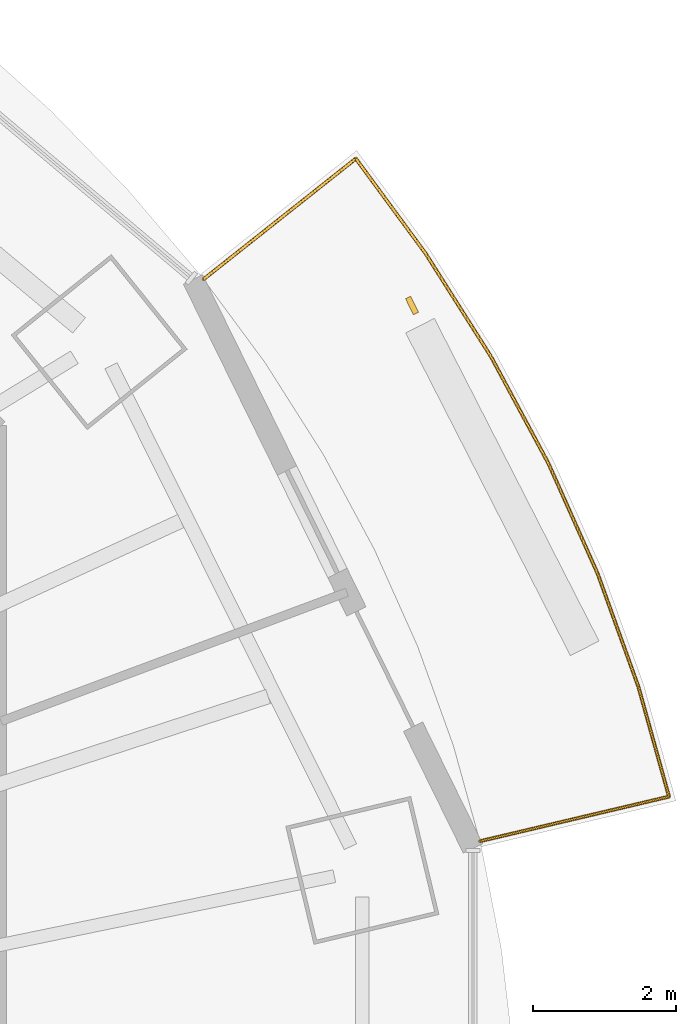
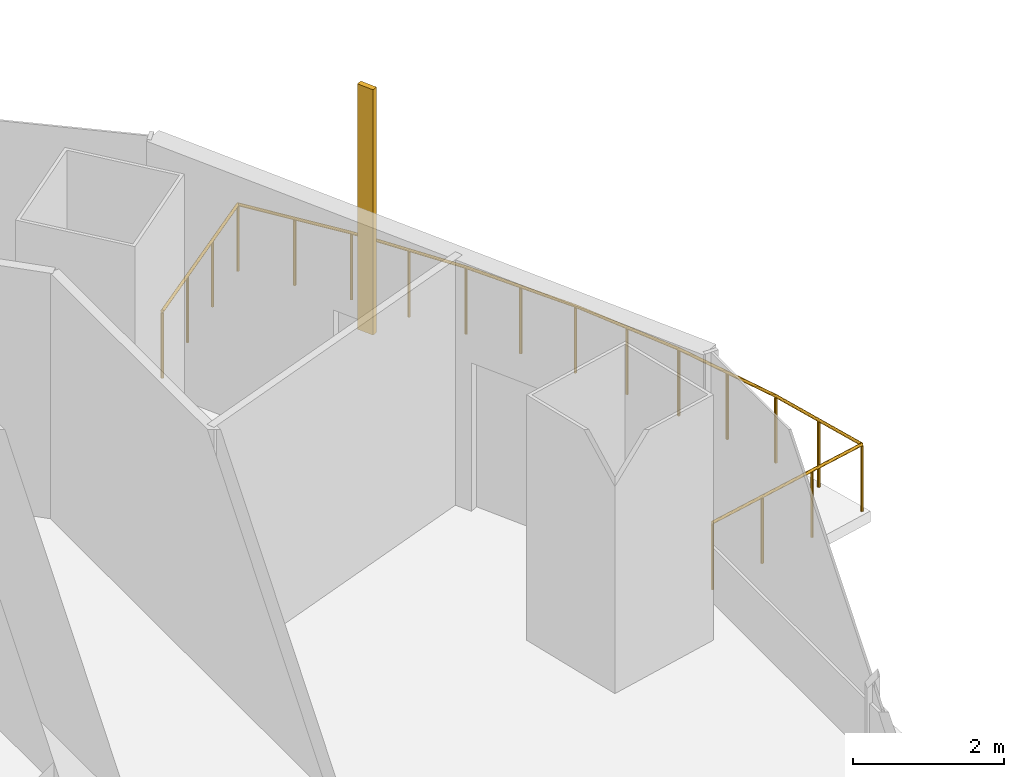
# One storey, part 15 of 16: 1 railing, 1 shading device.
"""IFC4 building model written with IfcOpenShell, lengths in metres."""

import ifcopenshell
import ifcopenshell.guid

model = None  # the IFC model being written
_history = None  # IfcOwnerHistory: only IFC2X3 demands one
_inside = {}  # id of a spatial element -> (the spatial element, [elements in it])
_under = {}  # id of a project, library or spatial element -> (it, [spatial elements below it])
_declared = {}  # id of a project -> (the project, [libraries it declares])
_typed = {}  # id of a type object -> (the type object, [elements of that type])
_made_of = {}  # id of a material, layer set ... -> (it, [elements and type objects made of it])


def new_model(schema):
    """Start an empty IFC model of exactly this schema.

    Asked for "IFC4X3", IfcOpenShell would pick the latest addendum, in which some entities
    have other attributes; the version numbers below select the first issue.
    IFC2X3 requires an IfcOwnerHistory on every rooted entity: one is made here for all.
    """
    global model, _history
    if schema == "IFC4X3":
        model = ifcopenshell.file(schema_version=(4, 3, 0, 0))
    else:
        model = ifcopenshell.file(schema=schema)
    _inside.clear()
    _under.clear()
    _declared.clear()
    _typed.clear()
    _made_of.clear()
    _history = None
    if model.schema == "IFC2X3":
        org = make("IfcOrganization", Name="unknown")
        user = make(
            "IfcPersonAndOrganization",
            ThePerson=make("IfcPerson", FamilyName="unknown"),
            TheOrganization=org,
        )
        app = make(
            "IfcApplication",
            ApplicationDeveloper=org,
            Version="unknown",
            ApplicationFullName="unknown",
            ApplicationIdentifier="unknown",
        )
        _history = make(
            "IfcOwnerHistory",
            OwningUser=user,
            OwningApplication=app,
            ChangeAction="ADDED",
            CreationDate=0,
        )
    return model


def make(cls, **values):
    """One entity of the class cls with the attributes given. An attribute that is None is left unset."""
    return model.create_entity(
        cls, **{name: value for name, value in values.items() if value is not None}
    )


def rooted(cls, **values):
    """An entity with a GlobalId (a new one), such as an element, a storey or a relation."""
    return make(cls, GlobalId=ifcopenshell.guid.new(), OwnerHistory=_history, **values)


def si_unit(unit_type, name, prefix=None):
    """IfcSIUnit, for example si_unit("LENGTHUNIT", "METRE", prefix="MILLI")."""
    return make("IfcSIUnit", UnitType=unit_type, Prefix=prefix, Name=name)


def assignment(units):
    """IfcUnitAssignment: the units of a project."""
    return None if units is None else make("IfcUnitAssignment", Units=units)


def point(xyz):
    """IfcCartesianPoint."""
    return None if xyz is None else make("IfcCartesianPoint", Coordinates=xyz)


def direction(xyz):
    """IfcDirection."""
    return None if xyz is None else make("IfcDirection", DirectionRatios=xyz)


def frame(location, z_axis=None, x_axis=None):
    """IfcAxis2Placement3D, a coordinate frame: its origin and axes. An axis left out is left unset."""
    return make(
        "IfcAxis2Placement3D",
        Location=point(location),
        Axis=direction(z_axis),
        RefDirection=direction(x_axis),
    )


def frame_2d(location, x_axis=None):
    """IfcAxis2Placement2D, a coordinate frame in the plane: its origin and x axis."""
    return make(
        "IfcAxis2Placement2D", Location=point(location), RefDirection=direction(x_axis)
    )


def origin():
    """The frame at (0, 0, 0) with its axes left unset."""
    return frame((0.0, 0.0, 0.0))


def origin_2d():
    """The frame at (0, 0) in the plane with its x axis left unset."""
    return frame_2d((0.0, 0.0))


def place(relative_to, where):
    """IfcLocalPlacement: puts the frame where relative to a parent placement (None: the world)."""
    return make(
        "IfcLocalPlacement", PlacementRelTo=relative_to, RelativePlacement=where
    )


def context(
    kind, dimensions, precision=None, world=None, true_north=None, identifier=None
):
    """IfcGeometricRepresentationContext, for example the 3D "Model" context."""
    return make(
        "IfcGeometricRepresentationContext",
        ContextIdentifier=identifier,
        ContextType=kind,
        CoordinateSpaceDimension=dimensions,
        Precision=precision,
        WorldCoordinateSystem=world,
        TrueNorth=true_north,
    )


def subcontext(parent, identifier, kind, view, scale=None):
    """IfcGeometricRepresentationSubContext, for example "Body" below "Model"."""
    return make(
        "IfcGeometricRepresentationSubContext",
        ContextIdentifier=identifier,
        ContextType=kind,
        ParentContext=parent,
        TargetScale=scale,
        TargetView=view,
    )


def project(units=None, contexts=None):
    """IfcProject with its units and contexts."""
    return rooted(
        "IfcProject",
        Name="project",
        RepresentationContexts=contexts,
        UnitsInContext=assignment(units),
    )


def spatial(cls, under=None, at=None, **own):
    """A site, building, storey or space (cls), placed at a placement, below another one or the project."""
    s = rooted(cls, ObjectPlacement=at, **own)
    if under is not None:
        _under.setdefault(under.id(), (under, []))[1].append(s)
    return s


def profile(cls, at=None, kind="AREA", **sizes):
    """A parametric profile (cls). Its sizes go by their IFC names, for example OverallWidth=200.0."""
    return make(cls, ProfileType=kind, Position=at, **sizes)


def rectangle(**sizes):
    """IfcRectangleProfileDef."""
    return profile("IfcRectangleProfileDef", **sizes)


def circle(**sizes):
    """IfcCircleProfileDef."""
    return profile("IfcCircleProfileDef", **sizes)


def extrude(swept, where, along, depth):
    """IfcExtrudedAreaSolid: the profile swept, set in the frame where, extruded along a direction by depth."""
    return make(
        "IfcExtrudedAreaSolid",
        SweptArea=swept,
        Position=where,
        ExtrudedDirection=direction(along),
        Depth=depth,
    )


def shape(context_of_items, identifier, shape_type, items):
    """IfcShapeRepresentation: the items that make up one representation, for example the "Body"."""
    return make(
        "IfcShapeRepresentation",
        ContextOfItems=context_of_items,
        RepresentationIdentifier=identifier,
        RepresentationType=shape_type,
        Items=items,
    )


def material(Name=None, Category=None):
    """IfcMaterial."""
    return make("IfcMaterial", Name=Name, Category=Category)


def material_profile(
    of_material, cross_section, Name=None, Category=None, Priority=None
):
    """IfcMaterialProfile: a cross section and its material."""
    return make(
        "IfcMaterialProfile",
        Name=Name,
        Material=of_material,
        Profile=cross_section,
        Priority=Priority,
        Category=Category,
    )


def profile_set(profiles, Name=None, composite=None):
    """IfcMaterialProfileSet."""
    return make(
        "IfcMaterialProfileSet",
        Name=Name,
        MaterialProfiles=profiles,
        CompositeProfile=composite,
    )


def made_of(thing, what):
    """Note that an element or type object is made of a material, layer set ...; save() writes the relation."""
    if what is not None:
        _made_of.setdefault(what.id(), (what, []))[1].append(thing)
    return thing


def type_object(cls, material=None, **own):
    """A type object (cls), such as IfcWallType, which elements share."""
    return made_of(rooted(cls, **own), material)


def element(
    cls,
    number,
    at=None,
    inside=None,
    cuts=None,
    type_object=None,
    material=None,
    context=None,
    identifier="Body",
    shape_type=None,
    held_by="IfcProductDefinitionShape",
    body=None,
    shapes=None,
    **own,
):
    """One element of the class cls, such as IfcWall. Its Tag is "e" and its number.

    at: its placement. inside: the storey or other place that contains it. cuts: it is an
    opening in that element (IfcRelVoidsElement). A single representation is given by context,
    identifier, shape_type and body (its items); several are given by shapes. held_by: the class
    of the entity that holds the representations. save() writes the other relations.
    """
    e = rooted(cls, Tag="e%d" % number, ObjectPlacement=at, **own)
    if body is not None:
        shapes = [shape(context, identifier, shape_type, body)]
    if shapes is not None:
        e.Representation = make(held_by, Representations=shapes)
    if inside is not None:
        _inside.setdefault(inside.id(), (inside, []))[1].append(e)
    if cuts is not None:
        rooted(
            "IfcRelVoidsElement", RelatingBuildingElement=cuts, RelatedOpeningElement=e
        )
    if type_object is not None:
        _typed.setdefault(type_object.id(), (type_object, []))[1].append(e)
    return made_of(e, material)


def aggregate(whole, parts):
    """IfcRelAggregates: a whole, such as a stair, and the parts it consists of."""
    return rooted("IfcRelAggregates", RelatingObject=whole, RelatedObjects=parts)


def save(model, path):
    """Write the relations noted so far, then the file.

    IfcRelAggregates (storeys below a building ...), IfcRelContainedInSpatialStructure (elements
    in a storey), IfcRelDefinesByType, IfcRelAssociatesMaterial and IfcRelDeclares: one each for
    every whole, place, type object, material and project.
    """
    for whole, parts in _under.values():
        aggregate(whole, parts)
    for where, things in _inside.values():
        rooted(
            "IfcRelContainedInSpatialStructure",
            RelatedElements=things,
            RelatingStructure=where,
        )
    for kind, things in _typed.values():
        rooted("IfcRelDefinesByType", RelatedObjects=things, RelatingType=kind)
    for what, things in _made_of.values():
        rooted("IfcRelAssociatesMaterial", RelatedObjects=things, RelatingMaterial=what)
    for by, libraries in _declared.values():
        rooted("IfcRelDeclares", RelatingContext=by, RelatedDefinitions=libraries)
    model.write(path)


model = new_model("IFC4")

# Units and contexts
model_context = context("Model", 3, precision=1e-05, world=origin(), true_north=direction((0.0, 1.0)))
body_context = subcontext(model_context, "Body", "Model", "MODEL_VIEW")
ifc_project = project(units=[si_unit("LENGTHUNIT", "METRE"), si_unit("AREAUNIT", "SQUARE_METRE"), si_unit("VOLUMEUNIT", "CUBIC_METRE"), si_unit("PLANEANGLEUNIT", "RADIAN"), si_unit("MASSUNIT", "GRAM", prefix="KILO")], contexts=[model_context])

# Site, building, storey
site_placement = place(None, origin())
site = spatial("IfcSite", under=ifc_project, at=site_placement, CompositionType="ELEMENT")
building_placement = place(site_placement, origin())
building = spatial("IfcBuilding", under=site, at=building_placement, Name="Marenthal Gate Tower", CompositionType="ELEMENT")
storey_placement = place(building_placement, frame((0.0, 0.0, 359.199951171875)))
storey = spatial("IfcBuildingStorey", under=building, at=storey_placement, Name="L81", CompositionType="ELEMENT", Elevation=359.199951171875)

# Railing
ifc_material_1 = material(Name="Stainless steel", Category="steel")
railing_type = type_object("IfcRailingType", Name="Balcony guard 1100", PredefinedType="GUARDRAIL", material=ifc_material_1)
railing_placement = place(storey_placement, frame((21.587890625, 13.188232421875, 0.0)))
element("IfcRailing", 1, at=railing_placement, inside=storey, type_object=railing_type, Name="Balcony guard L81 bay 1", PredefinedType="GUARDRAIL", context=body_context, shape_type="SweptSolid", body=[
    extrude(circle(Radius=0.02392578125, at=origin_2d()), frame((0.0, 0.0, 1.076171875), z_axis=(0.783769769253, 0.620877048402, -0.014718681113), x_axis=(-0.6209443126, 0.783854680824, 0.0)), (0.0, 0.0, 1.0), 2.72021484375),
    extrude(circle(Radius=0.02392578125, at=origin_2d()), frame((2.132080078125, 1.68896484375, 1.0361328125), z_axis=(0.592398949291, -0.805644763453, 0.0), x_axis=(0.805644763453, 0.592398949291, 0.0)), (0.0, 0.0, 1.0), 1.645263671875),
    extrude(circle(Radius=0.02392578125, at=origin_2d()), frame((3.106689453125, 0.363525390625, 1.0361328125), z_axis=(0.535611442073, -0.844464554093, 0.0), x_axis=(0.844464554093, 0.535611442073, 0.0)), (0.0, 0.0, 1.0), 1.712890625),
    extrude(circle(Radius=0.02392578125, at=origin_2d()), frame((4.024169921875, -1.0830078125, 1.0361328125), z_axis=(0.473697696888, -0.880687510961, 0.0), x_axis=(0.880687510961, 0.473697696888, 0.0)), (0.0, 0.0, 1.0), 1.701904296875),
    extrude(circle(Radius=0.02392578125, at=origin_2d()), frame((4.830322265625, -2.581787109375, 1.0361328125), z_axis=(0.407717433046, -0.913108150654, 0.0), x_axis=(0.913108150654, 0.407717433046, 0.0)), (0.0, 0.0, 1.0), 1.692138671875),
    extrude(circle(Radius=0.02392578125, at=origin_2d()), frame((5.520263671875, -4.126953125, 1.0361328125), z_axis=(0.338760549355, -0.940872621666, 0.0), x_axis=(0.940872621666, 0.338760549355, 0.0)), (0.0, 0.0, 1.0), 1.68359375),
    extrude(circle(Radius=0.02392578125, at=origin_2d()), frame((6.090576171875, -5.7109375, 1.0361328125), z_axis=(0.268353564757, -0.963320488873, 0.0), x_axis=(0.963320488873, 0.268353564757, 0.0)), (0.0, 0.0, 1.0), 1.5966796875),
    extrude(circle(Radius=0.02392578125, at=origin_2d()), frame((6.51904296875, -7.2490234375, 1.0361328125), z_axis=(-0.973197410229, -0.229499748958, 0.014719577172), x_axis=(0.22952461539, -0.973302856736, 0.0)), (0.0, 0.0, 1.0), 2.72021484375),
    extrude(circle(Radius=0.02099609375, at=origin_2d()), origin(), (0.0, 0.0, 1.0), 1.052001953125),
    extrude(circle(Radius=0.02099609375, at=origin_2d()), frame((0.710693359375, 0.56298828125, -0.013427734375)), (0.0, 0.0, 1.0), 1.052001953125),
    extrude(circle(Radius=0.02099609375, at=origin_2d()), frame((1.42138671875, 1.1259765625, -0.026611328125)), (0.0, 0.0, 1.0), 1.052001953125),
    extrude(circle(Radius=0.02099609375, at=origin_2d()), frame((2.132080078125, 1.68896484375, -0.0400390625)), (0.0, 0.0, 1.0), 1.052001953125),
    extrude(circle(Radius=0.02099609375, at=origin_2d()), frame((2.619384765625, 1.0263671875, -0.0400390625)), (0.0, 0.0, 1.0), 1.052001953125),
    extrude(circle(Radius=0.02099609375, at=origin_2d()), frame((3.106689453125, 0.363525390625, -0.0400390625)), (0.0, 0.0, 1.0), 1.052001953125),
    extrude(circle(Radius=0.02099609375, at=origin_2d()), frame((3.5654296875, -0.35986328125, -0.0400390625)), (0.0, 0.0, 1.0), 1.052001953125),
    extrude(circle(Radius=0.02099609375, at=origin_2d()), frame((4.024169921875, -1.0830078125, -0.0400390625)), (0.0, 0.0, 1.0), 1.052001953125),
    extrude(circle(Radius=0.02099609375, at=origin_2d()), frame((4.42724609375, -1.83251953125, -0.0400390625)), (0.0, 0.0, 1.0), 1.052001953125),
    extrude(circle(Radius=0.02099609375, at=origin_2d()), frame((4.830322265625, -2.581787109375, -0.0400390625)), (0.0, 0.0, 1.0), 1.052001953125),
    extrude(circle(Radius=0.02099609375, at=origin_2d()), frame((5.17529296875, -3.3544921875, -0.0400390625)), (0.0, 0.0, 1.0), 1.052001953125),
    extrude(circle(Radius=0.02099609375, at=origin_2d()), frame((5.520263671875, -4.126953125, -0.0400390625)), (0.0, 0.0, 1.0), 1.052001953125),
    extrude(circle(Radius=0.02099609375, at=origin_2d()), frame((5.805419921875, -4.9189453125, -0.0400390625)), (0.0, 0.0, 1.0), 1.052001953125),
    extrude(circle(Radius=0.02099609375, at=origin_2d()), frame((6.090576171875, -5.7109375, -0.0400390625)), (0.0, 0.0, 1.0), 1.052001953125),
    extrude(circle(Radius=0.02099609375, at=origin_2d()), frame((6.3046875, -6.47998046875, -0.0400390625)), (0.0, 0.0, 1.0), 1.052001953125),
    extrude(circle(Radius=0.02099609375, at=origin_2d()), frame((6.51904296875, -7.2490234375, -0.0400390625)), (0.0, 0.0, 1.0), 1.052001953125),
    extrude(circle(Radius=0.02099609375, at=origin_2d()), frame((5.63671875, -7.45703125, -0.026611328125)), (0.0, 0.0, 1.0), 1.052001953125),
    extrude(circle(Radius=0.02099609375, at=origin_2d()), frame((4.754150390625, -7.665283203125, -0.013427734375)), (0.0, 0.0, 1.0), 1.052001953125),
    extrude(circle(Radius=0.02099609375, at=origin_2d()), frame((3.871826171875, -7.873291015625, 0.0)), (0.0, 0.0, 1.0), 1.052001953125),
])

# Shading device
ifc_material_2 = material(Name="Terracotta", Category="masonry")
ifc_material_profile = material_profile(ifc_material_2, rectangle(XDim=0.25, YDim=0.080078125, at=origin_2d()), Name="Terracotta baguette 250x80")
ifc_profile_set = profile_set([ifc_material_profile], Name="Terracotta")
shading_device_type = type_object("IfcShadingDeviceType", Name="Terracotta BAGUETTE SCREEN 250x80", PredefinedType="USERDEFINED", material=ifc_profile_set)
shading_device_placement = place(storey_placement, frame((24.506591796875, 12.820068359375, -0.0400390625), z_axis=(0.0, 0.0, 1.0), x_axis=(-0.441063469926, 0.897475913603, 0.0)))
element("IfcShadingDevice", 2, at=shading_device_placement, inside=storey, type_object=shading_device_type, Name="Terracotta BAGUETTE L81 bay 1R", ObjectType="BAGUETTE SCREEN", PredefinedType="USERDEFINED", context=body_context, shape_type="SweptSolid", body=[
    extrude(rectangle(XDim=0.25, YDim=0.080078125, at=origin_2d()), origin(), (0.0, 0.0, 1.0), 3.969970703125),
])

save(model, "model.ifc")
